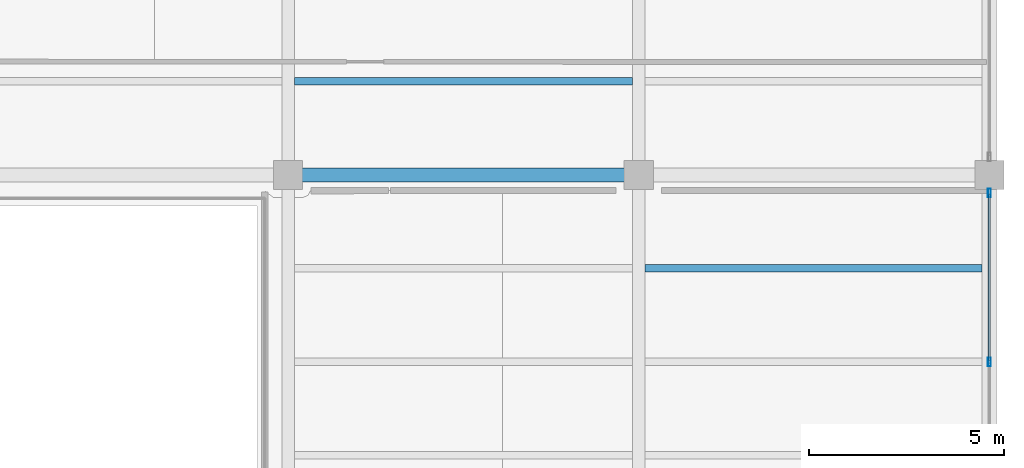
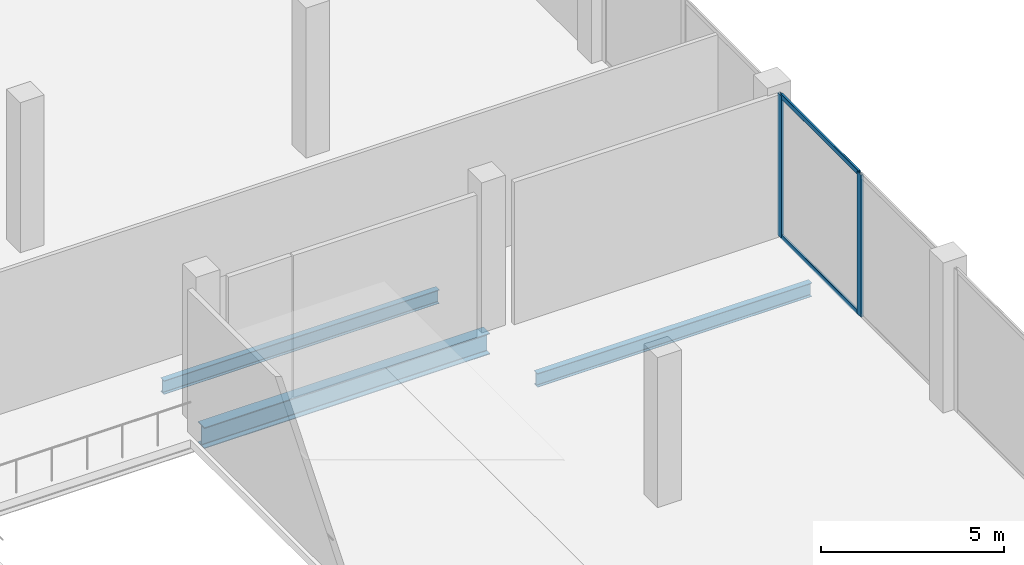
# One storey, part 20 of 47: 4 members, 3 beams, 1 element without a shape of its own.
"""IFC4 building model written with IfcOpenShell, lengths in metres."""

from ifc_helpers import new_model, si_unit, direction, frame, origin, origin_2d, place, context, subcontext, project, spatial, hollow_rectangle, i_section, extrude, material, layer, layer_set, material_profile, profile_set, type_object, element, aggregate, save


model = new_model("IFC4")

# Units and contexts
model_context = context("Model", 3, precision=1e-05, world=origin(), true_north=direction((0.0, 1.0)))
body_context = subcontext(model_context, "Body", "Model", "MODEL_VIEW")
ifc_project = project(units=[si_unit("LENGTHUNIT", "METRE"), si_unit("AREAUNIT", "SQUARE_METRE"), si_unit("VOLUMEUNIT", "CUBIC_METRE"), si_unit("PLANEANGLEUNIT", "RADIAN"), si_unit("MASSUNIT", "GRAM", prefix="KILO")], contexts=[model_context])

# Site, building, storey
site_placement = place(None, origin())
site = spatial("IfcSite", under=ifc_project, at=site_placement, CompositionType="ELEMENT")
building_placement = place(site_placement, origin())
building = spatial("IfcBuilding", under=site, at=building_placement, Name="Qorvath Tower", CompositionType="ELEMENT")
storey_placement = place(building_placement, frame((0.0, 0.0, 12.0)))
storey = spatial("IfcBuildingStorey", under=building, at=storey_placement, Name="L02", CompositionType="ELEMENT", Elevation=12.0)

# Beams
ifc_material_1 = material(Name="Steel ASTM A992 Grade 50", Category="steel")
ifc_material_profile_1 = material_profile(ifc_material_1, i_section(OverallWidth=0.35595703125, OverallDepth=0.696044921875, WebThickness=0.015380859375, FlangeThickness=0.02490234375, FilletRadius=0.01806640625, at=origin_2d()), Name="W27x146")
ifc_profile_set_1 = profile_set([ifc_material_profile_1], Name="Steel ASTM A992 Grade 50")
beam_type_1 = type_object("IfcBeamType", Name="BM-FG4", PredefinedType="BEAM", material=ifc_profile_set_1)
beam_1_placement = place(storey_placement, frame((59.39990234375, 9.60009765625, -0.60791015625), z_axis=(1.0, 0.0, 0.0), x_axis=(0.0, 1.0, 0.0)))
element("IfcBeam", 1, at=beam_1_placement, inside=storey, type_object=beam_type_1, Name="Library E-W Girder L02-6-4", PredefinedType="BEAM", context=body_context, shape_type="SweptSolid", body=[
    extrude(i_section(OverallWidth=0.35595703125, OverallDepth=0.696044921875, WebThickness=0.015380859375, FlangeThickness=0.02490234375, FilletRadius=0.01806640625, at=origin_2d()), origin(), (0.0, 0.0, 1.0), 9.0),
])
ifc_material_2 = material(Name="Steel ASTM A992 Grade 50", Category="steel")
ifc_material_profile_2 = material_profile(ifc_material_2, i_section(OverallWidth=0.18994140625, OverallDepth=0.45703125, WebThickness=0.009033203125, FlangeThickness=0.014404296875, FilletRadius=0.011962890625, at=origin_2d()), Name="W18x50")
ifc_profile_set_2 = profile_set([ifc_material_profile_2], Name="Steel ASTM A992 Grade 50")
beam_type_2 = type_object("IfcBeamType", Name="BM-FJ2", PredefinedType="JOIST", material=ifc_profile_set_2)
beam_2_placement = place(storey_placement, frame((68.560546875, 7.199951171875, -0.488525390625), z_axis=(1.0, 0.0, 0.0), x_axis=(0.0, 1.0, 0.0)))
element("IfcBeam", 2, at=beam_2_placement, inside=storey, type_object=beam_type_2, Name="Library Stack Joist L02-5.3-5", PredefinedType="JOIST", context=body_context, shape_type="SweptSolid", body=[
    extrude(i_section(OverallWidth=0.18994140625, OverallDepth=0.45703125, WebThickness=0.009033203125, FlangeThickness=0.014404296875, FilletRadius=0.011962890625, at=origin_2d()), origin(), (0.0, 0.0, 1.0), 8.65087890625),
])
beam_3_placement = place(storey_placement, frame((59.560546875, 12.0, -0.488525390625), z_axis=(1.0, 0.0, 0.0), x_axis=(0.0, 1.0, 0.0)))
element("IfcBeam", 3, at=beam_3_placement, inside=storey, type_object=beam_type_2, Name="Library Stack Joist L02-6.1-4", PredefinedType="JOIST", context=body_context, shape_type="SweptSolid", body=[
    extrude(i_section(OverallWidth=0.18994140625, OverallDepth=0.45703125, WebThickness=0.009033203125, FlangeThickness=0.014404296875, FilletRadius=0.011962890625, at=origin_2d()), origin(), (0.0, 0.0, 1.0), 8.678955078125),
])

# Curtain wall, members
ifc_material_3 = material(Name="Anodised aluminium and triple low-E glass", Category="aluminium")
ifc_layer = layer(ifc_material_3, 0.179931640625)
ifc_layer_set = layer_set([ifc_layer], Name="CW-SYS-6")
curtain_wall_type = type_object("IfcCurtainWallType", Name="CW-SYS-6", PredefinedType="NOTDEFINED", material=ifc_layer_set)
curtain_wall_placement = place(storey_placement, origin())
curtain_wall = element("IfcCurtainWall", 4, at=curtain_wall_placement, inside=storey, type_object=curtain_wall_type, Name="Curtain Wall CW-6 CW-LIB-E-L02-5", PredefinedType="NOTDEFINED")
ifc_material_4 = material(Name="Anodised aluminium 6063-T6", Category="aluminium")
ifc_material_profile_3 = material_profile(ifc_material_4, hollow_rectangle(XDim=0.080078125, YDim=0.219970703125, WallThickness=0.00439453125, InnerFilletRadius=0.00439453125, OuterFilletRadius=0.009033203125, at=origin_2d()), Name="CWM LIB 220x80")
ifc_profile_set_3 = profile_set([ifc_material_profile_3], Name="Anodised aluminium 6063-T6")
member_type_1 = type_object("IfcMemberType", Name="CWM-LIB", PredefinedType="MULLION", material=ifc_profile_set_3)
member_1_placement = place(storey_placement, frame((77.39990234375, 4.7998046875, 0.0), z_axis=(0.0, 0.0, 1.0), x_axis=(-1.0, 0.0, 0.0)))
member_1 = element("IfcMember", 5, at=member_1_placement, type_object=member_type_1, Name="CW-6 mullion 2", PredefinedType="MULLION", context=body_context, shape_type="SweptSolid", body=[
    extrude(hollow_rectangle(XDim=0.080078125, YDim=0.219970703125, WallThickness=0.00439453125, InnerFilletRadius=0.00439453125, OuterFilletRadius=0.009033203125, at=origin_2d()), origin(), (0.0, 0.0, 1.0), 4.739990234375),
])
member_2_placement = place(storey_placement, frame((77.39990234375, 9.139892578125, 0.0), z_axis=(0.0, 0.0, 1.0), x_axis=(-1.0, 0.0, 0.0)))
member_2 = element("IfcMember", 6, at=member_2_placement, type_object=member_type_1, Name="CW-6 mullion 3", PredefinedType="MULLION", context=body_context, shape_type="SweptSolid", body=[
    extrude(hollow_rectangle(XDim=0.080078125, YDim=0.219970703125, WallThickness=0.00439453125, InnerFilletRadius=0.00439453125, OuterFilletRadius=0.009033203125, at=origin_2d()), origin(), (0.0, 0.0, 1.0), 4.739990234375),
])
ifc_material_5 = material(Name="Anodised aluminium 6063-T6", Category="aluminium")
ifc_material_profile_4 = material_profile(ifc_material_5, hollow_rectangle(XDim=0.06494140625, YDim=0.159912109375, WallThickness=0.00341796875, InnerFilletRadius=0.00341796875, OuterFilletRadius=0.007080078125, at=origin_2d()), Name="CWT 160x65")
ifc_profile_set_4 = profile_set([ifc_material_profile_4], Name="Anodised aluminium 6063-T6")
member_type_2 = type_object("IfcMemberType", Name="CWT-160", PredefinedType="USERDEFINED", material=ifc_profile_set_4)
member_3_placement = place(storey_placement, frame((77.39990234375, 4.83984375, 0.032470703125), z_axis=(0.0, 1.0, 0.0), x_axis=(-1.0, 0.0, 0.0)))
member_3 = element("IfcMember", 7, at=member_3_placement, type_object=member_type_2, Name="CW-6 transom 2.1", ObjectType="TRANSOM", PredefinedType="USERDEFINED", context=body_context, shape_type="SweptSolid", body=[
    extrude(hollow_rectangle(XDim=0.06494140625, YDim=0.159912109375, WallThickness=0.00341796875, InnerFilletRadius=0.00341796875, OuterFilletRadius=0.007080078125, at=origin_2d()), origin(), (0.0, 0.0, 1.0), 4.260009765625),
])
member_4_placement = place(storey_placement, frame((77.39990234375, 4.83984375, 4.70751953125), z_axis=(0.0, 1.0, 0.0), x_axis=(-1.0, 0.0, 0.0)))
member_4 = element("IfcMember", 8, at=member_4_placement, type_object=member_type_2, Name="CW-6 transom 2.2", ObjectType="TRANSOM", PredefinedType="USERDEFINED", context=body_context, shape_type="SweptSolid", body=[
    extrude(hollow_rectangle(XDim=0.06494140625, YDim=0.159912109375, WallThickness=0.00341796875, InnerFilletRadius=0.00341796875, OuterFilletRadius=0.007080078125, at=origin_2d()), origin(), (0.0, 0.0, 1.0), 4.260009765625),
])
aggregate(curtain_wall, [member_1, member_2, member_3, member_4])

save(model, "model.ifc")
